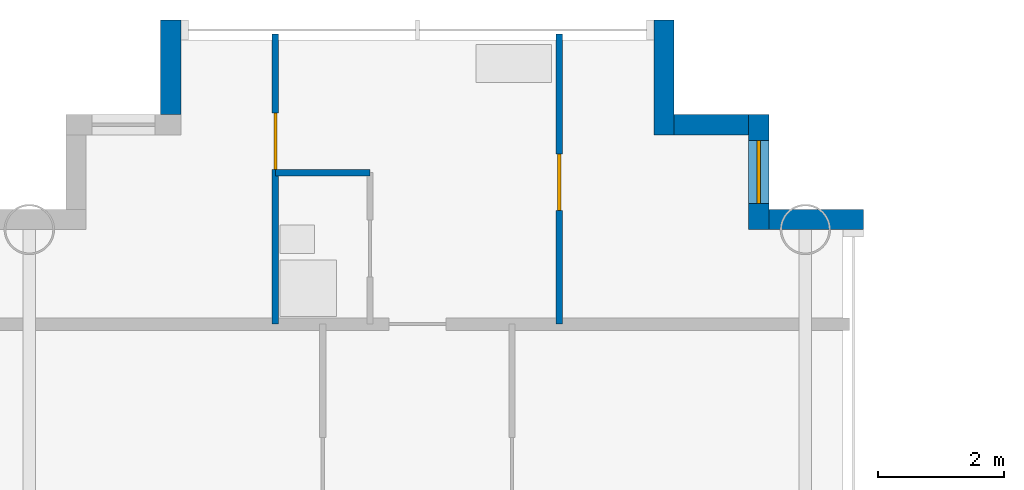
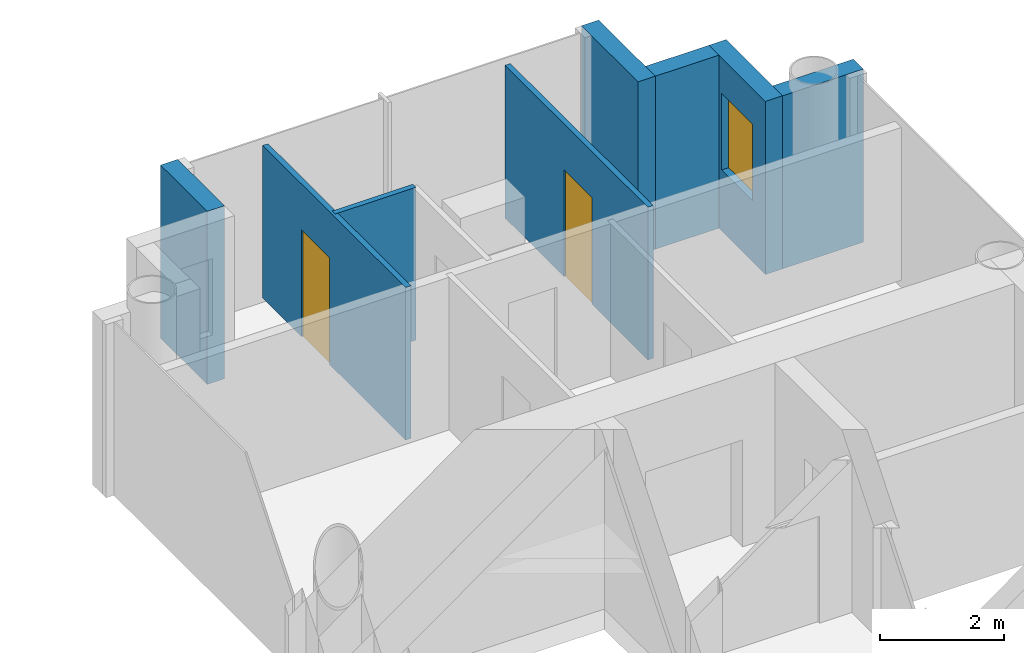
# One storey, part 13 of 20: 8 walls, 2 doors, 1 window, 3 openings.
"""IFC4 building model written with IfcOpenShell, lengths in metres."""

from ifc_helpers import new_model, si_unit, direction, frame, frame_2d, origin, place, context, subcontext, project, spatial, rectangle, extrude, material, layer, layer_set, type_object, element, fill, save


model = new_model("IFC4")

# Units and contexts
model_context = context("Model", 3, precision=1e-05, world=origin(), true_north=direction((0.0, 1.0)))
body_context = subcontext(model_context, "Body", "Model", "MODEL_VIEW")
ifc_project = project(units=[si_unit("LENGTHUNIT", "METRE"), si_unit("AREAUNIT", "SQUARE_METRE"), si_unit("VOLUMEUNIT", "CUBIC_METRE"), si_unit("PLANEANGLEUNIT", "RADIAN"), si_unit("MASSUNIT", "GRAM", prefix="KILO")], contexts=[model_context])

# Site, building, storey
site_placement = place(None, origin())
site = spatial("IfcSite", under=ifc_project, at=site_placement, CompositionType="ELEMENT")
building_placement = place(site_placement, origin())
building = spatial("IfcBuilding", under=site, at=building_placement, Name="Ipe Terrace Towers", CompositionType="ELEMENT")
storey_placement = place(building_placement, frame((0.0, 0.0, 154.10009765625)))
storey = spatial("IfcBuildingStorey", under=building, at=storey_placement, Name="L42", CompositionType="ELEMENT", Elevation=154.10009765625)

# Wall
ifc_material_1 = material(Name="Concrete C40/50 with buff precast cladding", Category="concrete")
ifc_layer_1 = layer(ifc_material_1, 0.320068359375)
ifc_layer_set_1 = layer_set([ifc_layer_1], Name="BUFF CLADDING WALL 320")
wall_type_1 = type_object("IfcWallType", Name="BUFF CLADDING WALL 320", PredefinedType="STANDARD", material=ifc_layer_set_1)
wall_1_placement = place(storey_placement, frame((43.070068359375, 21.909912109375, -0.300048828125), z_axis=(0.0, 0.0, 1.0), x_axis=(-1.0, 0.0, 0.0)))
element("IfcWall", 1, at=wall_1_placement, inside=storey, type_object=wall_type_1, Name="T2-W-L42-17a wall", PredefinedType="STANDARD", context=body_context, shape_type="SweptSolid", body=[
    extrude(rectangle(XDim=1.5, YDim=0.320068359375, at=frame_2d((0.75, 0.0))), origin(), (0.0, 0.0, 1.0), 3.39990234375),
])

# Wall, opening, window
wall_2_placement = place(storey_placement, frame((41.409912109375, 21.75, -0.300048828125), z_axis=(0.0, 0.0, 1.0), x_axis=(0.0, 1.0, 0.0)))
wall_2 = element("IfcWall", 2, at=wall_2_placement, inside=storey, type_object=wall_type_1, Name="T2-W-L42-18a wall", PredefinedType="STANDARD", context=body_context, shape_type="SweptSolid", body=[
    extrude(rectangle(XDim=1.820068359375, YDim=0.320068359375, at=frame_2d((0.91015625, 0.0))), origin(), (0.0, 0.0, 1.0), 3.39990234375),
])
opening_1_placement = place(wall_2_placement, frame((0.409912109375, 0.0, 1.199951171875)))
opening_1 = element("IfcOpeningElement", 3, at=opening_1_placement, cuts=wall_2, Name="Opening T2-W-05-L42-04", PredefinedType="OPENING", context=body_context, shape_type="SweptSolid", body=[
    extrude(rectangle(XDim=1.0, YDim=1.5, at=frame_2d((0.5, 0.75))), frame((0.0, 0.169921875, 0.0), z_axis=(0.0, -1.0, 0.0), x_axis=(1.0, 0.0, 0.0)), (0.0, 0.0, 1.0), 0.340087890625),
])
ifc_material_2 = material(Name="Glass, clear laminated", Category="glass")
window_type = type_object("IfcWindowType", Name="DWELLING WINDOW 1000 x 1500", PartitioningType="SINGLE_PANEL", PredefinedType="WINDOW", material=ifc_material_2)
window_placement = place(opening_1_placement, origin())
window = element("IfcWindow", 4, at=window_placement, inside=storey, type_object=window_type, Name="W-05 window", OverallHeight=1.5, OverallWidth=1.0, PartitioningType="SINGLE_PANEL", PredefinedType="WINDOW", context=body_context, shape_type="SweptSolid", body=[
    extrude(rectangle(XDim=1.0, YDim=1.5, at=frame_2d((0.5, 0.75))), frame((0.0, 0.030029296875, 0.0), z_axis=(0.0, -1.0, 0.0), x_axis=(1.0, 0.0, 0.0)), (0.0, 0.0, 1.0), 0.06005859375),
])
fill(opening_1, window)

# Walls
wall_3_placement = place(storey_placement, frame((41.25, 23.409912109375, -0.300048828125), z_axis=(0.0, 0.0, 1.0), x_axis=(-1.0, 0.0, 0.0)))
element("IfcWall", 5, at=wall_3_placement, inside=storey, type_object=wall_type_1, Name="T2-W-L42-19a wall", PredefinedType="STANDARD", context=body_context, shape_type="SweptSolid", body=[
    extrude(rectangle(XDim=1.179931640625, YDim=0.320068359375, at=frame_2d((0.58984375, 0.0))), origin(), (0.0, 0.0, 1.0), 3.39990234375),
])
wall_4_placement = place(storey_placement, frame((39.909912109375, 23.25, -0.300048828125), z_axis=(0.0, 0.0, 1.0), x_axis=(0.0, 1.0, 0.0)))
element("IfcWall", 6, at=wall_4_placement, inside=storey, type_object=wall_type_1, Name="T2-W-L42-20a wall", PredefinedType="STANDARD", context=body_context, shape_type="SweptSolid", body=[
    extrude(rectangle(XDim=1.820068359375, YDim=0.320068359375, at=frame_2d((0.91015625, 0.0))), origin(), (0.0, 0.0, 1.0), 3.39990234375),
])
wall_5_placement = place(storey_placement, frame((32.090087890625, 25.070068359375, -0.300048828125), z_axis=(0.0, 0.0, 1.0), x_axis=(0.0, -1.0, 0.0)))
element("IfcWall", 7, at=wall_5_placement, inside=storey, type_object=wall_type_1, Name="T2-W-L42-22a wall", PredefinedType="STANDARD", context=body_context, shape_type="SweptSolid", body=[
    extrude(rectangle(XDim=1.5, YDim=0.320068359375, at=frame_2d((0.75, 0.0))), origin(), (0.0, 0.0, 1.0), 3.39990234375),
])
ifc_material_3 = material(Name="Gypsum board partition", Category="plasterboard")
ifc_layer_2 = layer(ifc_material_3, 0.10009765625)
ifc_layer_set_2 = layer_set([ifc_layer_2], Name="Gypsum board partition 100 mm")
wall_type_2 = type_object("IfcWallType", Name="Gypsum board partition 100 mm", PredefinedType="PARTITIONING", material=ifc_layer_set_2)
wall_6_placement = place(storey_placement, frame((35.25, 22.64990234375, 0.0), z_axis=(0.0, 0.0, 1.0), x_axis=(-1.0, 0.0, 0.0)))
element("IfcWall", 8, at=wall_6_placement, inside=storey, type_object=wall_type_2, Name="Gypsum board partition T2 L42 W21", PredefinedType="PARTITIONING", context=body_context, shape_type="SweptSolid", body=[
    extrude(rectangle(XDim=1.5, YDim=0.10009765625, at=frame_2d((0.75, 0.0))), origin(), (0.0, 0.0, 1.0), 3.0),
])

# Wall, opening, door
wall_7_placement = place(storey_placement, frame((38.25, 20.25, 0.0), z_axis=(0.0, 0.0, 1.0), x_axis=(0.0, 1.0, 0.0)))
wall_7 = element("IfcWall", 9, at=wall_7_placement, inside=storey, type_object=wall_type_2, Name="Gypsum board partition T2 L42 W29", PredefinedType="PARTITIONING", context=body_context, shape_type="SweptSolid", body=[
    extrude(rectangle(XDim=4.60009765625, YDim=0.10009765625, at=frame_2d((2.300048828125, 0.0))), origin(), (0.0, 0.0, 1.0), 3.0),
])
opening_2_placement = place(wall_7_placement, frame((1.800048828125, 0.0, 0.0)))
opening_2 = element("IfcOpeningElement", 10, at=opening_2_placement, cuts=wall_7, Name="Opening T2-Z3C-28", PredefinedType="OPENING", context=body_context, shape_type="SweptSolid", body=[
    extrude(rectangle(XDim=0.89990234375, YDim=2.10009765625, at=frame_2d((0.449951171875, 1.050048828125))), frame((0.0, 0.06005859375, 0.0), z_axis=(0.0, -1.0, 0.0), x_axis=(1.0, 0.0, 0.0)), (0.0, 0.0, 1.0), 0.1201171875),
])
ifc_material_4 = material(Name="Timber door leaf", Category="wood")
door_type = type_object("IfcDoorType", Name="Bedroom door 900 x 2100", OperationType="NOTDEFINED", PredefinedType="DOOR", material=ifc_material_4)
door_1_placement = place(opening_2_placement, origin())
door_1 = element("IfcDoor", 11, at=door_1_placement, inside=storey, type_object=door_type, Name="Bedroom door T2-Z3C-28", OperationType="SINGLE_SWING_LEFT", OverallHeight=2.10009765625, OverallWidth=0.89990234375, PredefinedType="DOOR", context=body_context, shape_type="SweptSolid", body=[
    extrude(rectangle(XDim=0.89990234375, YDim=2.10009765625, at=frame_2d((0.449951171875, 1.050048828125))), frame((0.0, 0.02490234375, 0.0), z_axis=(0.0, -1.0, 0.0), x_axis=(1.0, 0.0, 0.0)), (0.0, 0.0, 1.0), 0.050048828125),
])
fill(opening_2, door_1)

wall_8_placement = place(storey_placement, frame((33.75, 20.25, 0.0), z_axis=(0.0, 0.0, 1.0), x_axis=(0.0, 1.0, 0.0)))
wall_8 = element("IfcWall", 12, at=wall_8_placement, inside=storey, type_object=wall_type_2, Name="Gypsum board partition T2 L42 W37", PredefinedType="PARTITIONING", context=body_context, shape_type="SweptSolid", body=[
    extrude(rectangle(XDim=4.60009765625, YDim=0.10009765625, at=frame_2d((2.300048828125, 0.0))), origin(), (0.0, 0.0, 1.0), 3.0),
])
opening_3_placement = place(wall_8_placement, frame((2.449951171875, 0.0, 0.0)))
opening_3 = element("IfcOpeningElement", 13, at=opening_3_placement, cuts=wall_8, Name="Opening T2-Z3C-27", PredefinedType="OPENING", context=body_context, shape_type="SweptSolid", body=[
    extrude(rectangle(XDim=0.89990234375, YDim=2.10009765625, at=frame_2d((0.449951171875, 1.050048828125))), frame((0.0, 0.06005859375, 0.0), z_axis=(0.0, -1.0, 0.0), x_axis=(1.0, 0.0, 0.0)), (0.0, 0.0, 1.0), 0.1201171875),
])
door_2_placement = place(opening_3_placement, origin())
door_2 = element("IfcDoor", 14, at=door_2_placement, inside=storey, type_object=door_type, Name="Bedroom door T2-Z3C-27", OperationType="SINGLE_SWING_LEFT", OverallHeight=2.10009765625, OverallWidth=0.89990234375, PredefinedType="DOOR", context=body_context, shape_type="SweptSolid", body=[
    extrude(rectangle(XDim=0.89990234375, YDim=2.10009765625, at=frame_2d((0.449951171875, 1.050048828125))), frame((0.0, 0.02490234375, 0.0), z_axis=(0.0, -1.0, 0.0), x_axis=(1.0, 0.0, 0.0)), (0.0, 0.0, 1.0), 0.050048828125),
])
fill(opening_3, door_2)

save(model, "model.ifc")
